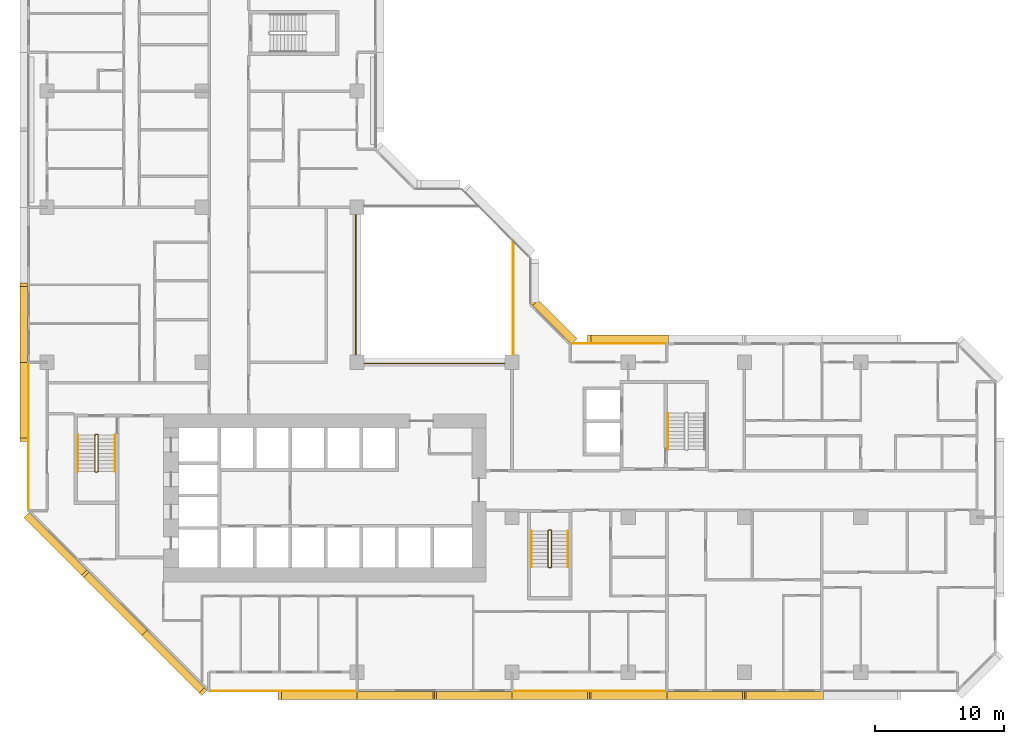
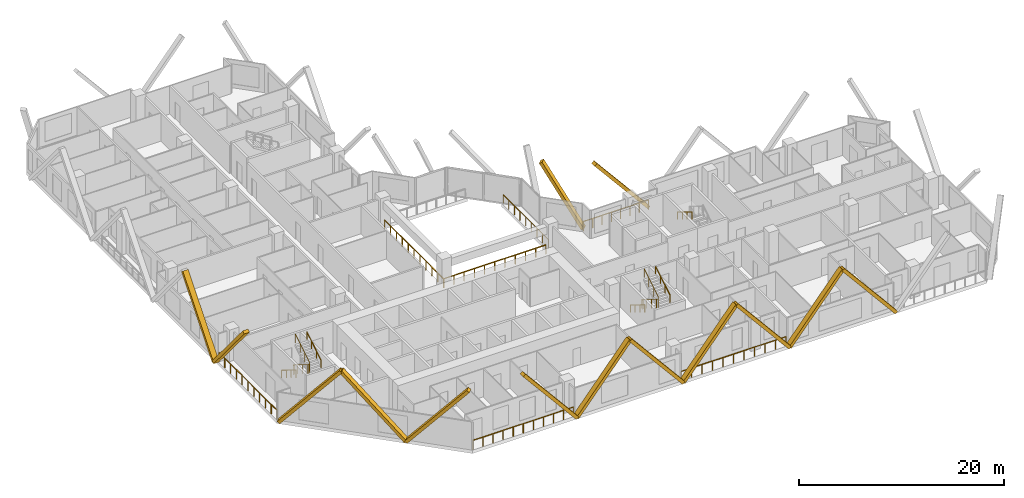
# One storey, part 14 of 15: 14 coverings, 13 railings.
"""IFC4 building model written with IfcOpenShell, lengths in metres."""

from ifc_helpers import new_model, si_unit, direction, frame, origin, origin_2d, place, context, subcontext, project, spatial, rectangle, extrude, material, material_profile, profile_set, type_object, element, save


model = new_model("IFC4")

# Units and contexts
model_context = context("Model", 3, precision=1e-05, world=origin(), true_north=direction((0.0, 1.0)))
body_context = subcontext(model_context, "Body", "Model", "MODEL_VIEW")
ifc_project = project(units=[si_unit("LENGTHUNIT", "METRE"), si_unit("AREAUNIT", "SQUARE_METRE"), si_unit("VOLUMEUNIT", "CUBIC_METRE"), si_unit("PLANEANGLEUNIT", "RADIAN"), si_unit("MASSUNIT", "GRAM", prefix="KILO")], contexts=[model_context])

# Site, building, storey
site_placement = place(None, origin())
site = spatial("IfcSite", under=ifc_project, at=site_placement, CompositionType="ELEMENT")
building_placement = place(site_placement, origin())
building = spatial("IfcBuilding", under=site, at=building_placement, Name="Chenar Terraces", CompositionType="ELEMENT")
storey_placement = place(building_placement, frame((0.0, 0.0, 56.39990234375)))
storey = spatial("IfcBuildingStorey", under=building, at=storey_placement, Name="L11", CompositionType="ELEMENT", Elevation=56.39990234375)

# Railings
ifc_material_1 = material(Name="Powder-coated steel", Category="steel")
railing_type_1 = type_object("IfcRailingType", Name="Guard 1100 steel rail with glass infill", PredefinedType="GUARDRAIL", material=ifc_material_1)
railing_1_placement = place(storey_placement, frame((23.89990234375, 35.449951171875, 0.0)))
element("IfcRailing", 1, at=railing_1_placement, inside=storey, type_object=railing_type_1, Name="Guard L11-1", PredefinedType="GUARDRAIL", context=body_context, shape_type="SweptSolid", body=[
    extrude(rectangle(XDim=0.06005859375, YDim=0.06005859375, at=origin_2d()), frame((0.0, 0.0, 1.070068359375), z_axis=(0.0, -1.0, 0.0), x_axis=(1.0, 0.0, 0.0)), (0.0, 0.0, 1.0), 11.550048828125),
    extrude(rectangle(XDim=0.06005859375, YDim=0.06005859375, at=origin_2d()), frame((0.0, -11.550048828125, 1.070068359375), z_axis=(1.0, 0.0, 0.0), x_axis=(0.0, 1.0, 0.0)), (0.0, 0.0, 1.0), 11.550048828125),
    extrude(rectangle(XDim=0.050048828125, YDim=0.050048828125, at=origin_2d()), origin(), (0.0, 0.0, 1.0), 1.0400390625),
    extrude(rectangle(XDim=0.050048828125, YDim=0.050048828125, at=origin_2d()), frame((0.0, -1.155029296875, 0.0)), (0.0, 0.0, 1.0), 1.0400390625),
    extrude(rectangle(XDim=0.050048828125, YDim=0.050048828125, at=origin_2d()), frame((0.0, -2.31005859375, 0.0)), (0.0, 0.0, 1.0), 1.0400390625),
    extrude(rectangle(XDim=0.050048828125, YDim=0.050048828125, at=origin_2d()), frame((0.0, -3.465087890625, 0.0)), (0.0, 0.0, 1.0), 1.0400390625),
    extrude(rectangle(XDim=0.050048828125, YDim=0.050048828125, at=origin_2d()), frame((0.0, -4.6201171875, 0.0)), (0.0, 0.0, 1.0), 1.0400390625),
    extrude(rectangle(XDim=0.050048828125, YDim=0.050048828125, at=origin_2d()), frame((0.0, -5.77490234375, 0.0)), (0.0, 0.0, 1.0), 1.0400390625),
    extrude(rectangle(XDim=0.050048828125, YDim=0.050048828125, at=origin_2d()), frame((0.0, -6.929931640625, 0.0)), (0.0, 0.0, 1.0), 1.0400390625),
    extrude(rectangle(XDim=0.050048828125, YDim=0.050048828125, at=origin_2d()), frame((0.0, -8.0849609375, 0.0)), (0.0, 0.0, 1.0), 1.0400390625),
    extrude(rectangle(XDim=0.050048828125, YDim=0.050048828125, at=origin_2d()), frame((0.0, -9.239990234375, 0.0)), (0.0, 0.0, 1.0), 1.0400390625),
    extrude(rectangle(XDim=0.050048828125, YDim=0.050048828125, at=origin_2d()), frame((0.0, -10.39501953125, 0.0)), (0.0, 0.0, 1.0), 1.0400390625),
    extrude(rectangle(XDim=0.050048828125, YDim=0.050048828125, at=origin_2d()), frame((0.0, -11.550048828125, 0.0)), (0.0, 0.0, 1.0), 1.0400390625),
    extrude(rectangle(XDim=0.050048828125, YDim=0.050048828125, at=origin_2d()), frame((1.155029296875, -11.550048828125, 0.0)), (0.0, 0.0, 1.0), 1.0400390625),
    extrude(rectangle(XDim=0.050048828125, YDim=0.050048828125, at=origin_2d()), frame((2.31005859375, -11.550048828125, 0.0)), (0.0, 0.0, 1.0), 1.0400390625),
    extrude(rectangle(XDim=0.050048828125, YDim=0.050048828125, at=origin_2d()), frame((3.465087890625, -11.550048828125, 0.0)), (0.0, 0.0, 1.0), 1.0400390625),
    extrude(rectangle(XDim=0.050048828125, YDim=0.050048828125, at=origin_2d()), frame((4.6201171875, -11.550048828125, 0.0)), (0.0, 0.0, 1.0), 1.0400390625),
    extrude(rectangle(XDim=0.050048828125, YDim=0.050048828125, at=origin_2d()), frame((5.77490234375, -11.550048828125, 0.0)), (0.0, 0.0, 1.0), 1.0400390625),
    extrude(rectangle(XDim=0.050048828125, YDim=0.050048828125, at=origin_2d()), frame((6.929931640625, -11.550048828125, 0.0)), (0.0, 0.0, 1.0), 1.0400390625),
    extrude(rectangle(XDim=0.050048828125, YDim=0.050048828125, at=origin_2d()), frame((8.0849609375, -11.550048828125, 0.0)), (0.0, 0.0, 1.0), 1.0400390625),
    extrude(rectangle(XDim=0.050048828125, YDim=0.050048828125, at=origin_2d()), frame((9.239990234375, -11.550048828125, 0.0)), (0.0, 0.0, 1.0), 1.0400390625),
    extrude(rectangle(XDim=0.050048828125, YDim=0.050048828125, at=origin_2d()), frame((10.39501953125, -11.550048828125, 0.0)), (0.0, 0.0, 1.0), 1.0400390625),
    extrude(rectangle(XDim=0.050048828125, YDim=0.050048828125, at=origin_2d()), frame((11.550048828125, -11.550048828125, 0.0)), (0.0, 0.0, 1.0), 1.0400390625),
])
railing_2_placement = place(storey_placement, frame((36.10009765625, 24.60009765625, 0.0)))
element("IfcRailing", 2, at=railing_2_placement, inside=storey, type_object=railing_type_1, Name="Guard L11-3", PredefinedType="GUARDRAIL", context=body_context, shape_type="SweptSolid", body=[
    extrude(rectangle(XDim=0.06005859375, YDim=0.06005859375, at=origin_2d()), frame((0.0, 0.0, 1.070068359375), z_axis=(0.0, 1.0, 0.0), x_axis=(-1.0, 0.0, 0.0)), (0.0, 0.0, 1.0), 8.7998046875),
    extrude(rectangle(XDim=0.050048828125, YDim=0.050048828125, at=origin_2d()), origin(), (0.0, 0.0, 1.0), 1.0400390625),
    extrude(rectangle(XDim=0.050048828125, YDim=0.050048828125, at=origin_2d()), frame((0.0, 1.10009765625, 0.0)), (0.0, 0.0, 1.0), 1.0400390625),
    extrude(rectangle(XDim=0.050048828125, YDim=0.050048828125, at=origin_2d()), frame((0.0, 2.199951171875, 0.0)), (0.0, 0.0, 1.0), 1.0400390625),
    extrude(rectangle(XDim=0.050048828125, YDim=0.050048828125, at=origin_2d()), frame((0.0, 3.2998046875, 0.0)), (0.0, 0.0, 1.0), 1.0400390625),
    extrude(rectangle(XDim=0.050048828125, YDim=0.050048828125, at=origin_2d()), frame((0.0, 4.39990234375, 0.0)), (0.0, 0.0, 1.0), 1.0400390625),
    extrude(rectangle(XDim=0.050048828125, YDim=0.050048828125, at=origin_2d()), frame((0.0, 5.5, 0.0)), (0.0, 0.0, 1.0), 1.0400390625),
    extrude(rectangle(XDim=0.050048828125, YDim=0.050048828125, at=origin_2d()), frame((0.0, 6.599853515625, 0.0)), (0.0, 0.0, 1.0), 1.0400390625),
    extrude(rectangle(XDim=0.050048828125, YDim=0.050048828125, at=origin_2d()), frame((0.0, 7.69970703125, 0.0)), (0.0, 0.0, 1.0), 1.0400390625),
    extrude(rectangle(XDim=0.050048828125, YDim=0.050048828125, at=origin_2d()), frame((0.0, 8.7998046875, 0.0)), (0.0, 0.0, 1.0), 1.0400390625),
])
ifc_material_2 = material(Name="Stainless steel and glass", Category="steel")
railing_type_2 = type_object("IfcRailingType", Name="Loggia guard 1150", PredefinedType="GUARDRAIL", material=ifc_material_2)
railing_3_placement = place(storey_placement, frame((47.925048828125, 25.449951171875, 0.0)))
element("IfcRailing", 3, at=railing_3_placement, inside=storey, type_object=railing_type_2, Name="Loggia guard", PredefinedType="GUARDRAIL", context=body_context, shape_type="SweptSolid", body=[
    extrude(rectangle(XDim=0.048095703125, YDim=0.048095703125, at=origin_2d()), frame((0.0, 0.0, 1.1259765625), z_axis=(-1.0, 0.0, 0.0), x_axis=(0.0, -1.0, 0.0)), (0.0, 0.0, 1.0), 7.35009765625),
    extrude(rectangle(XDim=0.0419921875, YDim=0.0419921875, at=origin_2d()), origin(), (0.0, 0.0, 1.0), 1.101806640625),
    extrude(rectangle(XDim=0.0419921875, YDim=0.0419921875, at=origin_2d()), frame((-1.050048828125, 0.0, 0.0)), (0.0, 0.0, 1.0), 1.101806640625),
    extrude(rectangle(XDim=0.0419921875, YDim=0.0419921875, at=origin_2d()), frame((-2.10009765625, 0.0, 0.0)), (0.0, 0.0, 1.0), 1.101806640625),
    extrude(rectangle(XDim=0.0419921875, YDim=0.0419921875, at=origin_2d()), frame((-3.150146484375, 0.0, 0.0)), (0.0, 0.0, 1.0), 1.101806640625),
    extrude(rectangle(XDim=0.0419921875, YDim=0.0419921875, at=origin_2d()), frame((-4.199951171875, 0.0, 0.0)), (0.0, 0.0, 1.0), 1.101806640625),
    extrude(rectangle(XDim=0.0419921875, YDim=0.0419921875, at=origin_2d()), frame((-5.25, 0.0, 0.0)), (0.0, 0.0, 1.0), 1.101806640625),
    extrude(rectangle(XDim=0.0419921875, YDim=0.0419921875, at=origin_2d()), frame((-6.300048828125, 0.0, 0.0)), (0.0, 0.0, 1.0), 1.101806640625),
    extrude(rectangle(XDim=0.0419921875, YDim=0.0419921875, at=origin_2d()), frame((-7.35009765625, 0.0, 0.0)), (0.0, 0.0, 1.0), 1.101806640625),
])
railing_4_placement = place(storey_placement, frame((12.574951171875, -1.449951171875, 0.0)))
element("IfcRailing", 4, at=railing_4_placement, inside=storey, type_object=railing_type_2, Name="Loggia guard", PredefinedType="GUARDRAIL", context=body_context, shape_type="SweptSolid", body=[
    extrude(rectangle(XDim=0.048095703125, YDim=0.048095703125, at=origin_2d()), frame((0.0, 0.0, 1.1259765625), z_axis=(1.0, 0.0, 0.0), x_axis=(0.0, 1.0, 0.0)), (0.0, 0.0, 1.0), 11.35009765625),
    extrude(rectangle(XDim=0.0419921875, YDim=0.0419921875, at=origin_2d()), origin(), (0.0, 0.0, 1.0), 1.101806640625),
    extrude(rectangle(XDim=0.0419921875, YDim=0.0419921875, at=origin_2d()), frame((1.135009765625, 0.0, 0.0)), (0.0, 0.0, 1.0), 1.101806640625),
    extrude(rectangle(XDim=0.0419921875, YDim=0.0419921875, at=origin_2d()), frame((2.27001953125, 0.0, 0.0)), (0.0, 0.0, 1.0), 1.101806640625),
    extrude(rectangle(XDim=0.0419921875, YDim=0.0419921875, at=origin_2d()), frame((3.405029296875, 0.0, 0.0)), (0.0, 0.0, 1.0), 1.101806640625),
    extrude(rectangle(XDim=0.0419921875, YDim=0.0419921875, at=origin_2d()), frame((4.5400390625, 0.0, 0.0)), (0.0, 0.0, 1.0), 1.101806640625),
    extrude(rectangle(XDim=0.0419921875, YDim=0.0419921875, at=origin_2d()), frame((5.675048828125, 0.0, 0.0)), (0.0, 0.0, 1.0), 1.101806640625),
    extrude(rectangle(XDim=0.0419921875, YDim=0.0419921875, at=origin_2d()), frame((6.81005859375, 0.0, 0.0)), (0.0, 0.0, 1.0), 1.101806640625),
    extrude(rectangle(XDim=0.0419921875, YDim=0.0419921875, at=origin_2d()), frame((7.945068359375, 0.0, 0.0)), (0.0, 0.0, 1.0), 1.101806640625),
    extrude(rectangle(XDim=0.0419921875, YDim=0.0419921875, at=origin_2d()), frame((9.080078125, 0.0, 0.0)), (0.0, 0.0, 1.0), 1.101806640625),
    extrude(rectangle(XDim=0.0419921875, YDim=0.0419921875, at=origin_2d()), frame((10.215087890625, 0.0, 0.0)), (0.0, 0.0, 1.0), 1.101806640625),
    extrude(rectangle(XDim=0.0419921875, YDim=0.0419921875, at=origin_2d()), frame((11.35009765625, 0.0, 0.0)), (0.0, 0.0, 1.0), 1.101806640625),
])
railing_5_placement = place(storey_placement, frame((36.074951171875, -1.449951171875, 0.0)))
element("IfcRailing", 5, at=railing_5_placement, inside=storey, type_object=railing_type_2, Name="Loggia guard", PredefinedType="GUARDRAIL", context=body_context, shape_type="SweptSolid", body=[
    extrude(rectangle(XDim=0.048095703125, YDim=0.048095703125, at=origin_2d()), frame((0.0, 0.0, 1.1259765625), z_axis=(1.0, 0.0, 0.0), x_axis=(0.0, 1.0, 0.0)), (0.0, 0.0, 1.0), 11.85009765625),
    extrude(rectangle(XDim=0.0419921875, YDim=0.0419921875, at=origin_2d()), origin(), (0.0, 0.0, 1.0), 1.101806640625),
    extrude(rectangle(XDim=0.0419921875, YDim=0.0419921875, at=origin_2d()), frame((1.18505859375, 0.0, 0.0)), (0.0, 0.0, 1.0), 1.101806640625),
    extrude(rectangle(XDim=0.0419921875, YDim=0.0419921875, at=origin_2d()), frame((2.3701171875, 0.0, 0.0)), (0.0, 0.0, 1.0), 1.101806640625),
    extrude(rectangle(XDim=0.0419921875, YDim=0.0419921875, at=origin_2d()), frame((3.554931640625, 0.0, 0.0)), (0.0, 0.0, 1.0), 1.101806640625),
    extrude(rectangle(XDim=0.0419921875, YDim=0.0419921875, at=origin_2d()), frame((4.739990234375, 0.0, 0.0)), (0.0, 0.0, 1.0), 1.101806640625),
    extrude(rectangle(XDim=0.0419921875, YDim=0.0419921875, at=origin_2d()), frame((5.925048828125, 0.0, 0.0)), (0.0, 0.0, 1.0), 1.101806640625),
    extrude(rectangle(XDim=0.0419921875, YDim=0.0419921875, at=origin_2d()), frame((7.110107421875, 0.0, 0.0)), (0.0, 0.0, 1.0), 1.101806640625),
    extrude(rectangle(XDim=0.0419921875, YDim=0.0419921875, at=origin_2d()), frame((8.295166015625, 0.0, 0.0)), (0.0, 0.0, 1.0), 1.101806640625),
    extrude(rectangle(XDim=0.0419921875, YDim=0.0419921875, at=origin_2d()), frame((9.47998046875, 0.0, 0.0)), (0.0, 0.0, 1.0), 1.101806640625),
    extrude(rectangle(XDim=0.0419921875, YDim=0.0419921875, at=origin_2d()), frame((10.6650390625, 0.0, 0.0)), (0.0, 0.0, 1.0), 1.101806640625),
    extrude(rectangle(XDim=0.0419921875, YDim=0.0419921875, at=origin_2d()), frame((11.85009765625, 0.0, 0.0)), (0.0, 0.0, 1.0), 1.101806640625),
])
railing_6_placement = place(storey_placement, frame((-1.449951171875, 23.925048828125, 0.0)))
element("IfcRailing", 6, at=railing_6_placement, inside=storey, type_object=railing_type_2, Name="Loggia guard", PredefinedType="GUARDRAIL", context=body_context, shape_type="SweptSolid", body=[
    extrude(rectangle(XDim=0.048095703125, YDim=0.048095703125, at=origin_2d()), frame((0.0, 0.0, 1.1259765625), z_axis=(0.0, -1.0, 0.0), x_axis=(1.0, 0.0, 0.0)), (0.0, 0.0, 1.0), 11.35009765625),
    extrude(rectangle(XDim=0.0419921875, YDim=0.0419921875, at=origin_2d()), origin(), (0.0, 0.0, 1.0), 1.101806640625),
    extrude(rectangle(XDim=0.0419921875, YDim=0.0419921875, at=origin_2d()), frame((0.0, -1.135009765625, 0.0)), (0.0, 0.0, 1.0), 1.101806640625),
    extrude(rectangle(XDim=0.0419921875, YDim=0.0419921875, at=origin_2d()), frame((0.0, -2.27001953125, 0.0)), (0.0, 0.0, 1.0), 1.101806640625),
    extrude(rectangle(XDim=0.0419921875, YDim=0.0419921875, at=origin_2d()), frame((0.0, -3.405029296875, 0.0)), (0.0, 0.0, 1.0), 1.101806640625),
    extrude(rectangle(XDim=0.0419921875, YDim=0.0419921875, at=origin_2d()), frame((0.0, -4.5400390625, 0.0)), (0.0, 0.0, 1.0), 1.101806640625),
    extrude(rectangle(XDim=0.0419921875, YDim=0.0419921875, at=origin_2d()), frame((0.0, -5.675048828125, 0.0)), (0.0, 0.0, 1.0), 1.101806640625),
    extrude(rectangle(XDim=0.0419921875, YDim=0.0419921875, at=origin_2d()), frame((0.0, -6.81005859375, 0.0)), (0.0, 0.0, 1.0), 1.101806640625),
    extrude(rectangle(XDim=0.0419921875, YDim=0.0419921875, at=origin_2d()), frame((0.0, -7.945068359375, 0.0)), (0.0, 0.0, 1.0), 1.101806640625),
    extrude(rectangle(XDim=0.0419921875, YDim=0.0419921875, at=origin_2d()), frame((0.0, -9.080078125, 0.0)), (0.0, 0.0, 1.0), 1.101806640625),
    extrude(rectangle(XDim=0.0419921875, YDim=0.0419921875, at=origin_2d()), frame((0.0, -10.215087890625, 0.0)), (0.0, 0.0, 1.0), 1.101806640625),
    extrude(rectangle(XDim=0.0419921875, YDim=0.0419921875, at=origin_2d()), frame((0.0, -11.35009765625, 0.0)), (0.0, 0.0, 1.0), 1.101806640625),
])
ifc_material_3 = material(Name="Powder-coated steel", Category="steel")
railing_type_3 = type_object("IfcRailingType", Name="Stair guard 1100", PredefinedType="GUARDRAIL", material=ifc_material_3)
railing_7_placement = place(storey_placement, frame((3.949951171875, 18.35009765625, 3.75)))
element("IfcRailing", 7, at=railing_7_placement, inside=storey, type_object=railing_type_3, Name="L11 ST1 stair guard 1", PredefinedType="GUARDRAIL", context=body_context, shape_type="SweptSolid", body=[
    extrude(rectangle(XDim=0.048095703125, YDim=0.048095703125, at=origin_2d()), frame((0.0, 0.0, 1.076171875), z_axis=(0.0, -0.854202870247, -0.519939858505), x_axis=(1.0, 0.0, 0.0)), (0.0, 0.0, 1.0), 3.278076171875),
    extrude(rectangle(XDim=0.048095703125, YDim=0.048095703125, at=origin_2d()), frame((0.0, -2.800048828125, -0.62841796875), z_axis=(-0.270899902878, -0.270899902878, -0.923702595667), x_axis=(0.707106781187, -0.707106781187, 0.0)), (0.0, 0.0, 1.0), 0.184814453125),
    extrude(rectangle(XDim=0.048095703125, YDim=0.048095703125, at=origin_2d()), frame((-0.050048828125, -2.85009765625, -0.798828125), z_axis=(-1.0, 0.0, 0.0), x_axis=(0.0, -1.0, 0.0)), (0.0, 0.0, 1.0), 0.14990234375),
    extrude(rectangle(XDim=0.048095703125, YDim=0.048095703125, at=origin_2d()), frame((-0.199951171875, -2.85009765625, -0.798828125), z_axis=(-0.707106781187, 0.707106781187, 0.0), x_axis=(-0.707106781187, -0.707106781187, 0.0)), (0.0, 0.0, 1.0), 0.07080078125),
    extrude(rectangle(XDim=0.048095703125, YDim=0.048095703125, at=origin_2d()), frame((-0.25, -2.800048828125, -0.798828125), z_axis=(0.0, 0.854202870247, -0.519939858505), x_axis=(-1.0, 0.0, 0.0)), (0.0, 0.0, 1.0), 3.278076171875),
    extrude(rectangle(XDim=0.048095703125, YDim=0.048095703125, at=origin_2d()), frame((-0.25, 0.0, -2.50341796875), z_axis=(0.270996696079, 0.269674760976, -0.924032636873), x_axis=(-0.705375805398, 0.708833529934, 0.0)), (0.0, 0.0, 1.0), 0.1845703125),
    extrude(rectangle(XDim=0.048095703125, YDim=0.048095703125, at=origin_2d()), frame((-0.199951171875, 0.0498046875, -2.673828125), z_axis=(1.0, 0.0, 0.0), x_axis=(0.0, 1.0, 0.0)), (0.0, 0.0, 1.0), 0.14990234375),
    extrude(rectangle(XDim=0.0419921875, YDim=0.0419921875, at=origin_2d()), origin(), (0.0, 0.0, 1.0), 1.052001953125),
    extrude(rectangle(XDim=0.0419921875, YDim=0.0419921875, at=origin_2d()), frame((0.0, -0.933349609375, -0.568115234375)), (0.0, 0.0, 1.0), 1.052001953125),
    extrude(rectangle(XDim=0.0419921875, YDim=0.0419921875, at=origin_2d()), frame((0.0, -1.86669921875, -1.13623046875)), (0.0, 0.0, 1.0), 1.052001953125),
    extrude(rectangle(XDim=0.0419921875, YDim=0.0419921875, at=origin_2d()), frame((0.0, -2.800048828125, -1.704345703125)), (0.0, 0.0, 1.0), 1.052001953125),
    extrude(rectangle(XDim=0.0419921875, YDim=0.0419921875, at=origin_2d()), frame((-0.050048828125, -2.85009765625, -1.875)), (0.0, 0.0, 1.0), 1.052001953125),
    extrude(rectangle(XDim=0.0419921875, YDim=0.0419921875, at=origin_2d()), frame((-0.199951171875, -2.85009765625, -1.875)), (0.0, 0.0, 1.0), 1.052001953125),
    extrude(rectangle(XDim=0.0419921875, YDim=0.0419921875, at=origin_2d()), frame((-0.25, -2.800048828125, -1.875)), (0.0, 0.0, 1.0), 1.052001953125),
    extrude(rectangle(XDim=0.0419921875, YDim=0.0419921875, at=origin_2d()), frame((-0.25, -1.86669921875, -2.443115234375)), (0.0, 0.0, 1.0), 1.052001953125),
    extrude(rectangle(XDim=0.0419921875, YDim=0.0419921875, at=origin_2d()), frame((-0.25, -0.933349609375, -3.01123046875)), (0.0, 0.0, 1.0), 1.052001953125),
    extrude(rectangle(XDim=0.0419921875, YDim=0.0419921875, at=origin_2d()), frame((-0.25, 0.0, -3.579345703125)), (0.0, 0.0, 1.0), 1.052001953125),
    extrude(rectangle(XDim=0.0419921875, YDim=0.0419921875, at=origin_2d()), frame((-0.199951171875, 0.0498046875, -3.75)), (0.0, 0.0, 1.0), 1.052001953125),
    extrude(rectangle(XDim=0.0419921875, YDim=0.0419921875, at=origin_2d()), frame((-0.050048828125, 0.0498046875, -3.75)), (0.0, 0.0, 1.0), 1.052001953125),
])
railing_8_placement = place(storey_placement, frame((39.050048828125, 10.949951171875, 3.75)))
element("IfcRailing", 8, at=railing_8_placement, inside=storey, type_object=railing_type_3, Name="L11 ST2 stair guard 1", PredefinedType="GUARDRAIL", context=body_context, shape_type="SweptSolid", body=[
    extrude(rectangle(XDim=0.048095703125, YDim=0.048095703125, at=origin_2d()), frame((0.0, 0.0, 1.076171875), z_axis=(0.0, -0.854202870247, -0.519939858505), x_axis=(1.0, 0.0, 0.0)), (0.0, 0.0, 1.0), 3.278076171875),
    extrude(rectangle(XDim=0.048095703125, YDim=0.048095703125, at=origin_2d()), frame((0.0, -2.800048828125, -0.62841796875), z_axis=(-0.270996696079, -0.269674760976, -0.924032636873), x_axis=(0.705375805398, -0.708833529934, 0.0)), (0.0, 0.0, 1.0), 0.1845703125),
    extrude(rectangle(XDim=0.048095703125, YDim=0.048095703125, at=origin_2d()), frame((-0.050048828125, -2.849853515625, -0.798828125), z_axis=(-1.0, 0.0, 0.0), x_axis=(0.0, -1.0, 0.0)), (0.0, 0.0, 1.0), 0.14990234375),
    extrude(rectangle(XDim=0.048095703125, YDim=0.048095703125, at=origin_2d()), frame((-0.199951171875, -2.849853515625, -0.798828125), z_axis=(-0.708833529934, 0.705375805398, 0.0), x_axis=(-0.705375805398, -0.708833529934, 0.0)), (0.0, 0.0, 1.0), 0.070556640625),
    extrude(rectangle(XDim=0.048095703125, YDim=0.048095703125, at=origin_2d()), frame((-0.25, -2.800048828125, -0.798828125), z_axis=(0.0, 0.854202870247, -0.519939858505), x_axis=(-1.0, 0.0, 0.0)), (0.0, 0.0, 1.0), 3.278076171875),
    extrude(rectangle(XDim=0.048095703125, YDim=0.048095703125, at=origin_2d()), frame((-0.25, 0.0, -2.50341796875), z_axis=(0.270899902878, 0.270899902878, -0.923702595667), x_axis=(-0.707106781187, 0.707106781187, 0.0)), (0.0, 0.0, 1.0), 0.184814453125),
    extrude(rectangle(XDim=0.048095703125, YDim=0.048095703125, at=origin_2d()), frame((-0.199951171875, 0.050048828125, -2.673828125), z_axis=(1.0, 0.0, 0.0), x_axis=(0.0, 1.0, 0.0)), (0.0, 0.0, 1.0), 0.14990234375),
    extrude(rectangle(XDim=0.0419921875, YDim=0.0419921875, at=origin_2d()), origin(), (0.0, 0.0, 1.0), 1.052001953125),
    extrude(rectangle(XDim=0.0419921875, YDim=0.0419921875, at=origin_2d()), frame((0.0, -0.933349609375, -0.568115234375)), (0.0, 0.0, 1.0), 1.052001953125),
    extrude(rectangle(XDim=0.0419921875, YDim=0.0419921875, at=origin_2d()), frame((0.0, -1.86669921875, -1.13623046875)), (0.0, 0.0, 1.0), 1.052001953125),
    extrude(rectangle(XDim=0.0419921875, YDim=0.0419921875, at=origin_2d()), frame((0.0, -2.800048828125, -1.704345703125)), (0.0, 0.0, 1.0), 1.052001953125),
    extrude(rectangle(XDim=0.0419921875, YDim=0.0419921875, at=origin_2d()), frame((-0.050048828125, -2.849853515625, -1.875)), (0.0, 0.0, 1.0), 1.052001953125),
    extrude(rectangle(XDim=0.0419921875, YDim=0.0419921875, at=origin_2d()), frame((-0.199951171875, -2.849853515625, -1.875)), (0.0, 0.0, 1.0), 1.052001953125),
    extrude(rectangle(XDim=0.0419921875, YDim=0.0419921875, at=origin_2d()), frame((-0.25, -2.800048828125, -1.875)), (0.0, 0.0, 1.0), 1.052001953125),
    extrude(rectangle(XDim=0.0419921875, YDim=0.0419921875, at=origin_2d()), frame((-0.25, -1.86669921875, -2.443115234375)), (0.0, 0.0, 1.0), 1.052001953125),
    extrude(rectangle(XDim=0.0419921875, YDim=0.0419921875, at=origin_2d()), frame((-0.25, -0.933349609375, -3.01123046875)), (0.0, 0.0, 1.0), 1.052001953125),
    extrude(rectangle(XDim=0.0419921875, YDim=0.0419921875, at=origin_2d()), frame((-0.25, 0.0, -3.579345703125)), (0.0, 0.0, 1.0), 1.052001953125),
    extrude(rectangle(XDim=0.0419921875, YDim=0.0419921875, at=origin_2d()), frame((-0.199951171875, 0.050048828125, -3.75)), (0.0, 0.0, 1.0), 1.052001953125),
    extrude(rectangle(XDim=0.0419921875, YDim=0.0419921875, at=origin_2d()), frame((-0.050048828125, 0.050048828125, -3.75)), (0.0, 0.0, 1.0), 1.052001953125),
])
ifc_material_4 = material(Name="Powder-coated steel", Category="steel")
railing_type_4 = type_object("IfcRailingType", Name="Stair handrail 900", PredefinedType="HANDRAIL", material=ifc_material_4)
railing_9_placement = place(storey_placement, frame((2.39990234375, 18.35009765625, 0.170654296875)))
element("IfcRailing", 9, at=railing_9_placement, inside=storey, type_object=railing_type_4, Name="L11 ST1 stair handrail 1", PredefinedType="HANDRAIL", context=body_context, shape_type="SweptSolid", body=[
    extrude(rectangle(XDim=0.048095703125, YDim=0.048095703125, at=origin_2d()), frame((0.0, 0.0, 0.8759765625), z_axis=(0.0, -0.854202870247, 0.519939858505), x_axis=(1.0, 0.0, 0.0)), (0.0, 0.0, 1.0), 3.278076171875),
    extrude(rectangle(XDim=0.0419921875, YDim=0.0419921875, at=origin_2d()), origin(), (0.0, 0.0, 1.0), 0.851806640625),
    extrude(rectangle(XDim=0.0419921875, YDim=0.0419921875, at=origin_2d()), frame((0.0, -0.933349609375, 0.568115234375)), (0.0, 0.0, 1.0), 0.851806640625),
    extrude(rectangle(XDim=0.0419921875, YDim=0.0419921875, at=origin_2d()), frame((0.0, -1.86669921875, 1.13623046875)), (0.0, 0.0, 1.0), 0.851806640625),
    extrude(rectangle(XDim=0.0419921875, YDim=0.0419921875, at=origin_2d()), frame((0.0, -2.800048828125, 1.704345703125)), (0.0, 0.0, 1.0), 0.851806640625),
])
railing_10_placement = place(storey_placement, frame((5.25, 15.550048828125, 2.045654296875)))
element("IfcRailing", 10, at=railing_10_placement, inside=storey, type_object=railing_type_4, Name="L11 ST1 stair handrail 2", PredefinedType="HANDRAIL", context=body_context, shape_type="SweptSolid", body=[
    extrude(rectangle(XDim=0.048095703125, YDim=0.048095703125, at=origin_2d()), frame((0.0, 0.0, 0.8759765625), z_axis=(0.0, 0.854202870247, 0.519939858505), x_axis=(-1.0, 0.0, 0.0)), (0.0, 0.0, 1.0), 3.278076171875),
    extrude(rectangle(XDim=0.0419921875, YDim=0.0419921875, at=origin_2d()), origin(), (0.0, 0.0, 1.0), 0.851806640625),
    extrude(rectangle(XDim=0.0419921875, YDim=0.0419921875, at=origin_2d()), frame((0.0, 0.933349609375, 0.568115234375)), (0.0, 0.0, 1.0), 0.851806640625),
    extrude(rectangle(XDim=0.0419921875, YDim=0.0419921875, at=origin_2d()), frame((0.0, 1.86669921875, 1.13623046875)), (0.0, 0.0, 1.0), 0.851806640625),
    extrude(rectangle(XDim=0.0419921875, YDim=0.0419921875, at=origin_2d()), frame((0.0, 2.800048828125, 1.704345703125)), (0.0, 0.0, 1.0), 0.851806640625),
])
railing_11_placement = place(storey_placement, frame((37.5, 10.949951171875, 0.170654296875)))
element("IfcRailing", 11, at=railing_11_placement, inside=storey, type_object=railing_type_4, Name="L11 ST2 stair handrail 1", PredefinedType="HANDRAIL", context=body_context, shape_type="SweptSolid", body=[
    extrude(rectangle(XDim=0.048095703125, YDim=0.048095703125, at=origin_2d()), frame((0.0, 0.0, 0.8759765625), z_axis=(0.0, -0.854202870247, 0.519939858505), x_axis=(1.0, 0.0, 0.0)), (0.0, 0.0, 1.0), 3.278076171875),
    extrude(rectangle(XDim=0.0419921875, YDim=0.0419921875, at=origin_2d()), origin(), (0.0, 0.0, 1.0), 0.851806640625),
    extrude(rectangle(XDim=0.0419921875, YDim=0.0419921875, at=origin_2d()), frame((0.0, -0.933349609375, 0.568115234375)), (0.0, 0.0, 1.0), 0.851806640625),
    extrude(rectangle(XDim=0.0419921875, YDim=0.0419921875, at=origin_2d()), frame((0.0, -1.86669921875, 1.13623046875)), (0.0, 0.0, 1.0), 0.851806640625),
    extrude(rectangle(XDim=0.0419921875, YDim=0.0419921875, at=origin_2d()), frame((0.0, -2.800048828125, 1.704345703125)), (0.0, 0.0, 1.0), 0.851806640625),
])
railing_12_placement = place(storey_placement, frame((40.35009765625, 8.14990234375, 2.045654296875)))
element("IfcRailing", 12, at=railing_12_placement, inside=storey, type_object=railing_type_4, Name="L11 ST2 stair handrail 2", PredefinedType="HANDRAIL", context=body_context, shape_type="SweptSolid", body=[
    extrude(rectangle(XDim=0.048095703125, YDim=0.048095703125, at=origin_2d()), frame((0.0, 0.0, 0.8759765625), z_axis=(0.0, 0.854202870247, 0.519939858505), x_axis=(-1.0, 0.0, 0.0)), (0.0, 0.0, 1.0), 3.278076171875),
    extrude(rectangle(XDim=0.0419921875, YDim=0.0419921875, at=origin_2d()), origin(), (0.0, 0.0, 1.0), 0.851806640625),
    extrude(rectangle(XDim=0.0419921875, YDim=0.0419921875, at=origin_2d()), frame((0.0, 0.933349609375, 0.568115234375)), (0.0, 0.0, 1.0), 0.851806640625),
    extrude(rectangle(XDim=0.0419921875, YDim=0.0419921875, at=origin_2d()), frame((0.0, 1.86669921875, 1.13623046875)), (0.0, 0.0, 1.0), 0.851806640625),
    extrude(rectangle(XDim=0.0419921875, YDim=0.0419921875, at=origin_2d()), frame((0.0, 2.800048828125, 1.704345703125)), (0.0, 0.0, 1.0), 0.851806640625),
])
railing_13_placement = place(storey_placement, frame((48.074951171875, 20.050048828125, 2.045654296875)))
element("IfcRailing", 13, at=railing_13_placement, inside=storey, type_object=railing_type_4, Name="L11 ST3 stair handrail 2", PredefinedType="HANDRAIL", context=body_context, shape_type="SweptSolid", body=[
    extrude(rectangle(XDim=0.048095703125, YDim=0.048095703125, at=origin_2d()), frame((0.0, 0.0, 0.8759765625), z_axis=(0.0, -0.854202870247, 0.519939858505), x_axis=(1.0, 0.0, 0.0)), (0.0, 0.0, 1.0), 3.278076171875),
    extrude(rectangle(XDim=0.0419921875, YDim=0.0419921875, at=origin_2d()), origin(), (0.0, 0.0, 1.0), 0.851806640625),
    extrude(rectangle(XDim=0.0419921875, YDim=0.0419921875, at=origin_2d()), frame((0.0, -0.933349609375, 0.568115234375)), (0.0, 0.0, 1.0), 0.851806640625),
    extrude(rectangle(XDim=0.0419921875, YDim=0.0419921875, at=origin_2d()), frame((0.0, -1.86669921875, 1.13623046875)), (0.0, 0.0, 1.0), 0.851806640625),
    extrude(rectangle(XDim=0.0419921875, YDim=0.0419921875, at=origin_2d()), frame((0.0, -2.800048828125, 1.704345703125)), (0.0, 0.0, 1.0), 0.851806640625),
])

# Coverings
ifc_material_5 = material(Name="Terracotta", Category="masonry")
ifc_material_profile = material_profile(ifc_material_5, rectangle(XDim=0.60009765625, YDim=0.35009765625, at=origin_2d()), Name="Terracotta baguette 600 x 350")
ifc_profile_set = profile_set([ifc_material_profile], Name="Terracotta")
covering_type = type_object("IfcCoveringType", Name="Terracotta baguette 600 x 350", PredefinedType="CLADDING", material=ifc_profile_set)
covering_1_placement = place(storey_placement, frame((48.0, 25.800048828125, 0.150146484375), z_axis=(-0.640186961885, 0.0, 0.768219144407), x_axis=(0.0, -1.0, 0.0)))
element("IfcCovering", 14, at=covering_1_placement, inside=storey, type_object=covering_type, Name="Terracotta baguette", PredefinedType="CLADDING", context=body_context, shape_type="SweptSolid", body=[
    extrude(rectangle(XDim=0.60009765625, YDim=0.35009765625, at=origin_2d()), origin(), (0.0, 0.0, 1.0), 9.372314453125),
])
covering_2_placement = place(storey_placement, frame((40.712158203125, 25.712158203125, 0.150146484375), z_axis=(-0.358980886355, 0.358980886355, 0.861548284464), x_axis=(-0.707106781187, -0.707106781187, 0.0)))
element("IfcCovering", 15, at=covering_2_placement, inside=storey, type_object=covering_type, Name="Terracotta baguette", PredefinedType="CLADDING", context=body_context, shape_type="SweptSolid", body=[
    extrude(rectangle(XDim=0.60009765625, YDim=0.35009765625, at=origin_2d()), origin(), (0.0, 0.0, 1.0), 8.35693359375),
])
for number, where, z_axis, x_axis, name in (
    (16, (-1.800048828125, 30.0, 7.35009765625), (0.0, -0.640186961885, -0.768219144407), (1.0, 0.0, 0.0), "Terracotta baguette"),
    (17, (-1.800048828125, 24.0, 0.150146484375), (0.0, -0.640186961885, 0.768219144407), (1.0, 0.0, 0.0), "Terracotta baguette"),
):
    element("IfcCovering", number, at=place(storey_placement, frame(where, z_axis=z_axis, x_axis=x_axis)), inside=storey, type_object=covering_type, Name=name, PredefinedType="CLADDING", context=body_context, shape_type="SweptSolid", body=[
        extrude(rectangle(XDim=0.60009765625, YDim=0.35009765625, at=origin_2d()), origin(), (0.0, 0.0, 1.0), 9.372314453125),
    ])
covering_3_placement = place(storey_placement, frame((-1.5, 12.07568359375, 0.150146484375), z_axis=(0.465624035565, -0.465624035565, 0.752587878595), x_axis=(0.707106781187, 0.707106781187, 0.0)))
element("IfcCovering", 18, at=covering_3_placement, inside=storey, type_object=covering_type, Name="Terracotta baguette", PredefinedType="CLADDING", context=body_context, shape_type="SweptSolid", body=[
    extrude(rectangle(XDim=0.60009765625, YDim=0.35009765625, at=origin_2d()), origin(), (0.0, 0.0, 1.0), 9.56689453125),
])
covering_4_placement = place(storey_placement, frame((2.95458984375, 7.62109375, 7.35009765625), z_axis=(0.477788925607, -0.477788925607, -0.737180768289), x_axis=(0.707106781187, 0.707106781187, 0.0)))
element("IfcCovering", 19, at=covering_4_placement, inside=storey, type_object=covering_type, Name="Terracotta baguette", PredefinedType="CLADDING", context=body_context, shape_type="SweptSolid", body=[
    extrude(rectangle(XDim=0.60009765625, YDim=0.35009765625, at=origin_2d()), origin(), (0.0, 0.0, 1.0), 9.766845703125),
])
covering_5_placement = place(storey_placement, frame((7.62109375, 2.95458984375, 0.150146484375), z_axis=(0.465624035565, -0.465624035565, 0.752587878595), x_axis=(0.707106781187, 0.707106781187, 0.0)))
element("IfcCovering", 20, at=covering_5_placement, inside=storey, type_object=covering_type, Name="Terracotta baguette", PredefinedType="CLADDING", context=body_context, shape_type="SweptSolid", body=[
    extrude(rectangle(XDim=0.60009765625, YDim=0.35009765625, at=origin_2d()), origin(), (0.0, 0.0, 1.0), 9.56689453125),
])
for number, where, z_axis, x_axis, name in (
    (21, (18.0, -1.800048828125, 7.35009765625), (0.640186961885, 0.0, -0.768219144407), (0.0, 1.0, 0.0), "Terracotta baguette"),
    (22, (24.0, -1.800048828125, 0.150146484375), (0.640186961885, 0.0, 0.768219144407), (0.0, 1.0, 0.0), "Terracotta baguette"),
    (23, (30.0, -1.800048828125, 7.35009765625), (0.640186961885, 0.0, -0.768219144407), (0.0, 1.0, 0.0), "Terracotta baguette"),
    (24, (36.0, -1.800048828125, 0.150146484375), (0.640186961885, 0.0, 0.768219144407), (0.0, 1.0, 0.0), "Terracotta baguette"),
    (25, (42.0, -1.800048828125, 7.35009765625), (0.640186961885, 0.0, -0.768219144407), (0.0, 1.0, 0.0), "Terracotta baguette"),
    (26, (48.0, -1.800048828125, 0.150146484375), (0.640186961885, 0.0, 0.768219144407), (0.0, 1.0, 0.0), "Terracotta baguette"),
    (27, (54.0, -1.800048828125, 7.35009765625), (0.640186961885, 0.0, -0.768219144407), (0.0, 1.0, 0.0), "Terracotta baguette"),
):
    element("IfcCovering", number, at=place(storey_placement, frame(where, z_axis=z_axis, x_axis=x_axis)), inside=storey, type_object=covering_type, Name=name, PredefinedType="CLADDING", context=body_context, shape_type="SweptSolid", body=[
        extrude(rectangle(XDim=0.60009765625, YDim=0.35009765625, at=origin_2d()), origin(), (0.0, 0.0, 1.0), 9.372314453125),
    ])

save(model, "model.ifc")
